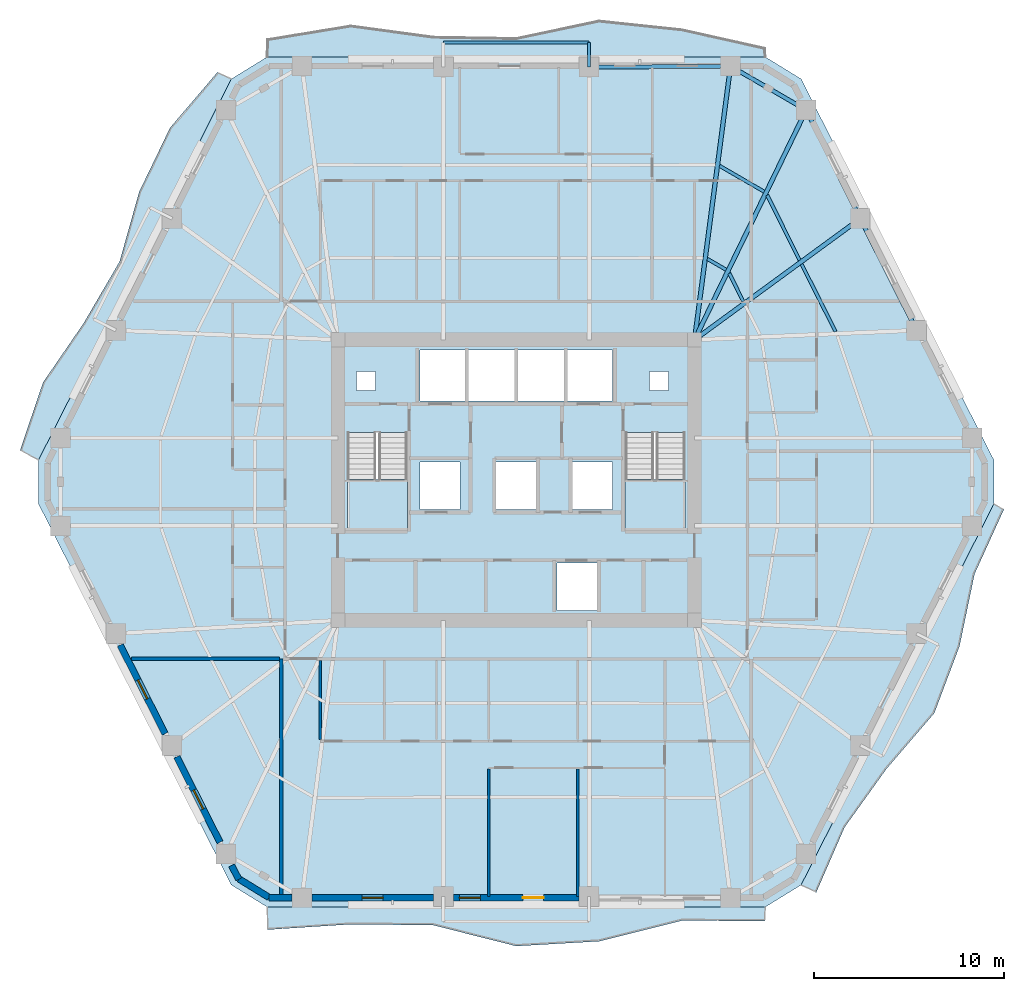
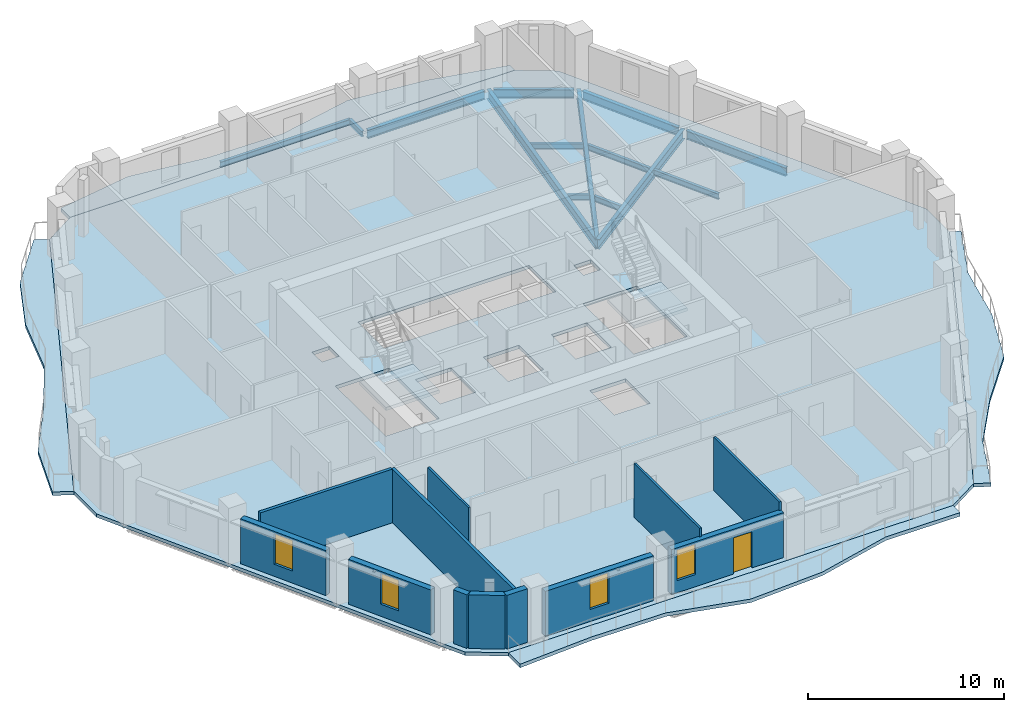
# One storey, part 3 of 12: 14 beams, 12 walls, 7 slabs, 4 windows, 1 door, 5 openings, 2 elements without a shape of their own.
"""IFC4 building model written with IfcOpenShell, lengths in metres."""

from ifc_helpers import new_model, si_unit, direction, frame, frame_2d, origin, origin_2d, place, context, subcontext, project, spatial, polyline, rectangle, i_section, outline, extrude, material, layer, layer_set, material_profile, profile_set, type_object, element, fill, aggregate, save


model = new_model("IFC4")

# Units and contexts
model_context = context("Model", 3, precision=1e-05, world=origin(), true_north=direction((0.0, 1.0)))
body_context = subcontext(model_context, "Body", "Model", "MODEL_VIEW")
ifc_project = project(units=[si_unit("LENGTHUNIT", "METRE"), si_unit("AREAUNIT", "SQUARE_METRE"), si_unit("VOLUMEUNIT", "CUBIC_METRE"), si_unit("PLANEANGLEUNIT", "RADIAN"), si_unit("MASSUNIT", "GRAM", prefix="KILO")], contexts=[model_context])

# Site, building, storey
site_placement = place(None, origin())
site = spatial("IfcSite", under=ifc_project, at=site_placement, CompositionType="ELEMENT")
building_placement = place(site_placement, origin())
building = spatial("IfcBuilding", under=site, at=building_placement, Name="Cinnabar Lancet Tower", CompositionType="ELEMENT")
storey_placement = place(building_placement, frame((0.0, 0.0, 141.0)))
storey = spatial("IfcBuildingStorey", under=building, at=storey_placement, Name="L37", CompositionType="ELEMENT", Elevation=141.0)

# Beams
ifc_material_1 = material(Name="Structural steel S355", Category="steel")
ifc_material_profile_1 = material_profile(ifc_material_1, i_section(OverallWidth=0.17138671875, OverallDepth=0.35498046875, WebThickness=0.00732421875, FlangeThickness=0.011474609375, FilletRadius=0.01025390625, at=origin_2d()), Name="UKB 356x171x51")
ifc_profile_set_1 = profile_set([ifc_material_profile_1], Name="Structural steel S355")
beam_type_1 = type_object("IfcBeamType", Name="STR-BM-JST-356", PredefinedType="JOIST", material=ifc_profile_set_1)
beam_1_placement = place(storey_placement, frame((49.19189453125, 33.70703125, -0.387939453125), z_axis=(-0.450606998706, 0.892722427587, 0.0), x_axis=(-0.892722427587, -0.450606998706, 0.0)))
element("IfcBeam", 1, at=beam_1_placement, inside=storey, type_object=beam_type_1, Name="L37 Secondary Floor Joist 27", PredefinedType="JOIST", context=body_context, shape_type="SweptSolid", body=[
    extrude(i_section(OverallWidth=0.17138671875, OverallDepth=0.35498046875, WebThickness=0.00732421875, FlangeThickness=0.011474609375, FilletRadius=0.01025390625, at=origin_2d()), origin(), (0.0, 0.0, 1.0), 3.967529296875),
])
beam_2_placement = place(storey_placement, frame((47.300048828125, 37.455078125, -0.387939453125), z_axis=(-0.445116798807, 0.895472520751, 0.0), x_axis=(-0.895472520751, -0.445116798807, 0.0)))
element("IfcBeam", 2, at=beam_2_placement, inside=storey, type_object=beam_type_1, Name="L37 Secondary Floor Joist 29", PredefinedType="JOIST", context=body_context, shape_type="SweptSolid", body=[
    extrude(i_section(OverallWidth=0.17138671875, OverallDepth=0.35498046875, WebThickness=0.00732421875, FlangeThickness=0.011474609375, FilletRadius=0.01025390625, at=origin_2d()), origin(), (0.0, 0.0, 1.0), 3.8212890625),
])
beam_3_placement = place(storey_placement, frame((44.337890625, 35.2900390625, -0.387939453125), z_axis=(-0.445677136949, 0.895193772097, 0.0), x_axis=(-0.895193772097, -0.445677136949, 0.0)))
element("IfcBeam", 3, at=beam_3_placement, inside=storey, type_object=beam_type_1, Name="L37 Secondary Floor Joist 30", PredefinedType="JOIST", context=body_context, shape_type="SweptSolid", body=[
    extrude(i_section(OverallWidth=0.17138671875, OverallDepth=0.35498046875, WebThickness=0.00732421875, FlangeThickness=0.011474609375, FilletRadius=0.01025390625, at=origin_2d()), origin(), (0.0, 0.0, 1.0), 1.6533203125),
])
beam_4_placement = place(storey_placement, frame((45.43505859375, 41.06298828125, -0.387939453125), z_axis=(-0.865172906898, 0.501473669469, 0.0), x_axis=(-0.501473669469, -0.865172906898, 0.0)))
element("IfcBeam", 4, at=beam_4_placement, inside=storey, type_object=beam_type_1, Name="L37 Secondary Floor Joist 31", PredefinedType="JOIST", context=body_context, shape_type="SweptSolid", body=[
    extrude(i_section(OverallWidth=0.17138671875, OverallDepth=0.35498046875, WebThickness=0.00732421875, FlangeThickness=0.011474609375, FilletRadius=0.01025390625, at=origin_2d()), origin(), (0.0, 0.0, 1.0), 2.705810546875),
])
beam_5_placement = place(storey_placement, frame((43.43798828125, 36.9560546875, -0.387939453125), z_axis=(-0.865055308165, 0.501676503154, 0.0), x_axis=(-0.501676503154, -0.865055308165, 0.0)))
element("IfcBeam", 5, at=beam_5_placement, inside=storey, type_object=beam_type_1, Name="L37 Secondary Floor Joist 32", PredefinedType="JOIST", context=body_context, shape_type="SweptSolid", body=[
    extrude(i_section(OverallWidth=0.17138671875, OverallDepth=0.35498046875, WebThickness=0.00732421875, FlangeThickness=0.011474609375, FilletRadius=0.01025390625, at=origin_2d()), origin(), (0.0, 0.0, 1.0), 1.14208984375),
])
ifc_material_2 = material(Name="Structural steel S355", Category="steel")
ifc_material_profile_2 = material_profile(ifc_material_2, i_section(OverallWidth=0.209228515625, OverallDepth=0.533203125, WebThickness=0.010009765625, FlangeThickness=0.015625, FilletRadius=0.0126953125, at=origin_2d()), Name="UKB 533x210x92")
ifc_profile_set_2 = profile_set([ifc_material_profile_2], Name="Structural steel S355")
beam_type_2 = type_object("IfcBeamType", Name="STR-BM-SPN-533", PredefinedType="SPANDREL", material=ifc_profile_set_2)
beam_6_placement = place(storey_placement, frame((53.339111328125, 33.9990234375, -0.47705078125), z_axis=(-0.450570325924, 0.892740937449, 0.0), x_axis=(-0.892740937449, -0.450570325924, 0.0)))
element("IfcBeam", 6, at=beam_6_placement, inside=storey, type_object=beam_type_2, Name="L37 Perimeter Spandrel 10", PredefinedType="SPANDREL", context=body_context, shape_type="SweptSolid", body=[
    extrude(i_section(OverallWidth=0.209228515625, OverallDepth=0.533203125, WebThickness=0.010009765625, FlangeThickness=0.015625, FilletRadius=0.0126953125, at=origin_2d()), origin(), (0.0, 0.0, 1.0), 6.07470703125),
])
beam_7_placement = place(storey_placement, frame((50.3779296875, 39.868896484375, -0.47705078125), z_axis=(-0.445501068635, 0.89528140707, 0.0), x_axis=(-0.89528140707, -0.445501068635, 0.0)))
element("IfcBeam", 7, at=beam_7_placement, inside=storey, type_object=beam_type_2, Name="L37 Perimeter Spandrel 11", PredefinedType="SPANDREL", context=body_context, shape_type="SweptSolid", body=[
    extrude(i_section(OverallWidth=0.209228515625, OverallDepth=0.533203125, WebThickness=0.010009765625, FlangeThickness=0.015625, FilletRadius=0.0126953125, at=origin_2d()), origin(), (0.0, 0.0, 1.0), 5.87646484375),
])
beam_8_placement = place(storey_placement, frame((47.43310546875, 45.47900390625, -0.47705078125), z_axis=(-0.865138129765, 0.5015336643, 0.0), x_axis=(-0.5015336643, -0.865138129765, 0.0)))
element("IfcBeam", 8, at=beam_8_placement, inside=storey, type_object=beam_type_2, Name="L37 Perimeter Spandrel 12", PredefinedType="SPANDREL", context=body_context, shape_type="SweptSolid", body=[
    extrude(i_section(OverallWidth=0.209228515625, OverallDepth=0.533203125, WebThickness=0.010009765625, FlangeThickness=0.015625, FilletRadius=0.0126953125, at=origin_2d()), origin(), (0.0, 0.0, 1.0), 4.10107421875),
])
beam_9_placement = place(storey_placement, frame((43.4189453125, 47.658935546875, -0.47705078125), z_axis=(-0.999975228682, -0.007038609338, 0.0), x_axis=(0.007038609338, -0.999975228682, 0.0)))
element("IfcBeam", 9, at=beam_9_placement, inside=storey, type_object=beam_type_2, Name="L37 Perimeter Spandrel 13", PredefinedType="SPANDREL", context=body_context, shape_type="SweptSolid", body=[
    extrude(i_section(OverallWidth=0.209228515625, OverallDepth=0.533203125, WebThickness=0.010009765625, FlangeThickness=0.015625, FilletRadius=0.0126953125, at=origin_2d()), origin(), (0.0, 0.0, 1.0), 6.937255859375),
])
ifc_material_3 = material(Name="Structural steel S355", Category="steel")
ifc_material_profile_3 = material_profile(ifc_material_3, i_section(OverallWidth=0.228271484375, OverallDepth=0.607666015625, WebThickness=0.010986328125, FlangeThickness=0.017333984375, FilletRadius=0.0126953125, at=origin_2d()), Name="UKB 610x229x113")
ifc_profile_set_3 = profile_set([ifc_material_profile_3], Name="Structural steel S355")
beam_type_3 = type_object("IfcBeamType", Name="STR-BM-UKB610-113", PredefinedType="BEAM", material=ifc_profile_set_3)
beam_10_placement = place(storey_placement, frame((50.489013671875, 39.64501953125, -0.513916015625), z_axis=(-0.807297870919, -0.590144175273, 0.0), x_axis=(0.590144175273, -0.807297870919, 0.0)))
element("IfcBeam", 10, at=beam_10_placement, inside=storey, type_object=beam_type_3, Name="L37 Corner Collector Girder 3", PredefinedType="BEAM", context=body_context, shape_type="SweptSolid", body=[
    extrude(i_section(OverallWidth=0.228271484375, OverallDepth=0.607666015625, WebThickness=0.010986328125, FlangeThickness=0.017333984375, FilletRadius=0.0126953125, at=origin_2d()), origin(), (0.0, 0.0, 1.0), 10.794189453125),
])
beam_11_placement = place(storey_placement, frame((47.64892578125, 45.35400390625, -0.513916015625), z_axis=(-0.437327473227, -0.899302330232, 0.0), x_axis=(0.899302330232, -0.437327473227, 0.0)))
element("IfcBeam", 11, at=beam_11_placement, inside=storey, type_object=beam_type_3, Name="L37 Primary Floor Girder 12", PredefinedType="BEAM", context=body_context, shape_type="SweptSolid", body=[
    extrude(i_section(OverallWidth=0.228271484375, OverallDepth=0.607666015625, WebThickness=0.010986328125, FlangeThickness=0.017333984375, FilletRadius=0.0126953125, at=origin_2d()), origin(), (0.0, 0.0, 1.0), 13.431640625),
])
beam_12_placement = place(storey_placement, frame((43.6689453125, 47.660888671875, -0.513916015625), z_axis=(-0.130532420418, -0.991444041396, 0.0), x_axis=(0.991444041396, -0.130532420418, 0.0)))
element("IfcBeam", 12, at=beam_12_placement, inside=storey, type_object=beam_type_3, Name="L37 Primary Floor Girder 13", PredefinedType="BEAM", context=body_context, shape_type="SweptSolid", body=[
    extrude(i_section(OverallWidth=0.228271484375, OverallDepth=0.607666015625, WebThickness=0.010986328125, FlangeThickness=0.017333984375, FilletRadius=0.0126953125, at=origin_2d()), origin(), (0.0, 0.0, 1.0), 14.51025390625),
])
ifc_material_4 = material(Name="Structural steel S355", Category="steel")
ifc_material_profile_4 = material_profile(ifc_material_4, i_section(OverallWidth=0.17138671875, OverallDepth=0.35498046875, WebThickness=0.00732421875, FlangeThickness=0.011474609375, FilletRadius=0.01025390625, at=origin_2d()), Name="UKB 356x171x51")
ifc_profile_set_4 = profile_set([ifc_material_profile_4], Name="Structural steel S355")
beam_type_4 = type_object("IfcBeamType", Name="STR-BM-WAV-OUT", PredefinedType="BEAM", material=ifc_profile_set_4)
beam_13_placement = place(storey_placement, frame((36.23193359375, 47.60791015625, -0.39794921875), z_axis=(0.0, 1.0, 0.0), x_axis=(-1.0, 0.0, 0.0)))
element("IfcBeam", 13, at=beam_13_placement, inside=storey, type_object=beam_type_4, Name="L37 Face 4 Balcony Outlooker A", PredefinedType="BEAM", context=body_context, shape_type="SweptSolid", body=[
    extrude(i_section(OverallWidth=0.17138671875, OverallDepth=0.35498046875, WebThickness=0.00732421875, FlangeThickness=0.011474609375, FilletRadius=0.01025390625, at=origin_2d()), origin(), (0.0, 0.0, 1.0), 1.300048828125),
])
ifc_material_5 = material(Name="Structural steel S355", Category="steel")
ifc_material_profile_5 = material_profile(ifc_material_5, i_section(OverallWidth=0.17138671875, OverallDepth=0.35498046875, WebThickness=0.00732421875, FlangeThickness=0.011474609375, FilletRadius=0.01025390625, at=origin_2d()), Name="UKB 356x171x51")
ifc_profile_set_5 = profile_set([ifc_material_profile_5], Name="Structural steel S355")
beam_type_5 = type_object("IfcBeamType", Name="STR-BM-WAV-TRIM", PredefinedType="SPANDREL", material=ifc_profile_set_5)
beam_14_placement = place(storey_placement, frame((36.23193359375, 48.907958984375, -0.39794921875), z_axis=(-1.0, 0.0, 0.0), x_axis=(0.0, -1.0, 0.0)))
element("IfcBeam", 14, at=beam_14_placement, inside=storey, type_object=beam_type_5, Name="L37 Face 4 Balcony Edge Trimmer", PredefinedType="SPANDREL", context=body_context, shape_type="SweptSolid", body=[
    extrude(i_section(OverallWidth=0.17138671875, OverallDepth=0.35498046875, WebThickness=0.00732421875, FlangeThickness=0.011474609375, FilletRadius=0.01025390625, at=origin_2d()), origin(), (0.0, 0.0, 1.0), 7.663818359375),
])

# Stair, slab
ifc_material_6 = material(Name="Concrete C40/50", Category="concrete")
stair_type = type_object("IfcStairType", Name="ST-CORE", PredefinedType="HALF_TURN_STAIR", material=ifc_material_6)
stair_1_placement = place(storey_placement, origin())
stair_1 = element("IfcStair", 15, at=stair_1_placement, inside=storey, type_object=stair_type, Name="L37 ST-1", PredefinedType="HALF_TURN_STAIR")
ifc_material_7 = material(Name="Concrete C40/50", Category="concrete")
ifc_layer_1 = layer(ifc_material_7, 0.199951171875)
ifc_layer_set_1 = layer_set([ifc_layer_1], Name="Concrete C40/50")
slab_type_1 = type_object("IfcSlabType", Name="LANDING-CORE", PredefinedType="LANDING", material=ifc_layer_set_1)
slab_1_placement = place(storey_placement, frame((0.0, 0.0, 1.574951171875)))
slab_1 = element("IfcSlab", 16, at=slab_1_placement, type_object=slab_type_1, Name="ST-1 landing 1", PredefinedType="LANDING", context=body_context, shape_type="SweptSolid", body=[
    extrude(outline(polyline([(23.52490234375, 25.925048828125), (23.52490234375, 23.25), (26.675048828125, 23.25), (26.675048828125, 25.925048828125), (23.52490234375, 25.925048828125)])), origin(), (0.0, 0.0, 1.0), 0.199951171875),
])
aggregate(stair_1, [slab_1])

stair_2_placement = place(storey_placement, origin())
stair_2 = element("IfcStair", 17, at=stair_2_placement, inside=storey, type_object=stair_type, Name="L37 ST-2", PredefinedType="HALF_TURN_STAIR")
slab_2_placement = place(storey_placement, frame((0.0, 0.0, 1.574951171875)))
slab_2 = element("IfcSlab", 18, at=slab_2_placement, type_object=slab_type_1, Name="ST-2 landing 1", PredefinedType="LANDING", context=body_context, shape_type="SweptSolid", body=[
    extrude(outline(polyline([(38.125, 25.925048828125), (38.125, 23.25), (41.27490234375, 23.25), (41.27490234375, 25.925048828125), (38.125, 25.925048828125)])), origin(), (0.0, 0.0, 1.0), 0.199951171875),
])
aggregate(stair_2, [slab_2])

# Slabs
ifc_material_8 = material(Name="Concrete C40/50", Category="concrete")
ifc_layer_2 = layer(ifc_material_8, 0.2099609375)
ifc_layer_set_2 = layer_set([ifc_layer_2], Name="Concrete C40/50")
slab_type_2 = type_object("IfcSlabType", Name="STR-SLB-FLR-210", PredefinedType="FLOOR", material=ifc_layer_set_2)
slab_3_placement = place(storey_placement, frame((0.0, 0.0, -0.2099609375)))
element("IfcSlab", 19, at=slab_3_placement, inside=storey, type_object=slab_type_2, Name="L37 Structural Floor Slab", PredefinedType="FLOOR", context=body_context, shape_type="SweptSolid", body=[
    extrude(outline(polyline([(17.4208984375, 4.610107421875), (19.30810546875, 3.449951171875), (45.491943359375, 3.449951171875), (47.37890625, 4.610107421875), (57.512939453125, 24.639892578125), (57.512939453125, 26.9599609375), (47.37890625, 46.989990234375), (45.491943359375, 48.14990234375), (19.30810546875, 48.14990234375), (17.4208984375, 46.989990234375), (7.287109375, 26.9599609375), (7.287109375, 24.639892578125), (17.4208984375, 4.610107421875)]), holes=[polyline([(23.52490234375, 23.25), (26.675048828125, 23.25), (26.675048828125, 28.3994140625), (23.52490234375, 28.3994140625), (23.52490234375, 23.25)]), polyline([(38.125, 23.25), (41.27490234375, 23.25), (41.27490234375, 28.3994140625), (38.125, 28.3994140625), (38.125, 23.25)]), polyline([(27.35009765625, 30.050048828125), (37.449951171875, 30.050048828125), (37.449951171875, 32.75), (27.35009765625, 32.75), (27.35009765625, 30.050048828125)]), polyline([(34.550048828125, 19.050048828125), (36.64990234375, 19.050048828125), (36.64990234375, 21.550048828125), (34.550048828125, 21.550048828125), (34.550048828125, 19.050048828125)]), polyline([(27.35009765625, 24.35009765625), (29.449951171875, 24.35009765625), (29.449951171875, 26.85009765625), (27.35009765625, 26.85009765625), (27.35009765625, 24.35009765625)]), polyline([(35.35009765625, 24.35009765625), (37.449951171875, 24.35009765625), (37.449951171875, 26.85009765625), (35.35009765625, 26.85009765625), (35.35009765625, 24.35009765625)]), polyline([(31.35009765625, 24.35009765625), (33.449951171875, 24.35009765625), (33.449951171875, 26.85009765625), (31.35009765625, 26.85009765625), (31.35009765625, 24.35009765625)]), polyline([(24.0, 30.60009765625), (25.0, 30.60009765625), (25.0, 31.60009765625), (24.0, 31.60009765625), (24.0, 30.60009765625)]), polyline([(39.39990234375, 30.60009765625), (40.39990234375, 30.60009765625), (40.39990234375, 31.60009765625), (39.39990234375, 31.60009765625), (39.39990234375, 30.60009765625)])]), origin(), (0.0, 0.0, 1.0), 0.2099609375),
])
ifc_material_9 = material(Name="Concrete C45/55", Category="concrete")
ifc_layer_3 = layer(ifc_material_9, 0.219970703125)
ifc_layer_set_3 = layer_set([ifc_layer_3], Name="Concrete C45/55")
slab_type_3 = type_object("IfcSlabType", Name="STR-SLB-WAV-220", PredefinedType="FLOOR", material=ifc_layer_set_3)
slab_4_placement = place(storey_placement, frame((0.0, 0.0, -0.219970703125)))
element("IfcSlab", 20, at=slab_4_placement, inside=storey, type_object=slab_type_3, Name="L37 Face 1 Undulating Wave Balcony Slab", PredefinedType="FLOOR", context=body_context, shape_type="SweptSolid", body=[
    extrude(outline(polyline([(19.30810546875, 3.449951171875), (19.30810546875, 2.258056640625), (23.672119140625, 2.5419921875), (28.035888671875, 2.4970703125), (32.39990234375, 1.39501953125), (36.763916015625, 1.64892578125), (41.1279296875, 2.740966796875), (45.491943359375, 2.714111328125), (45.491943359375, 3.449951171875), (19.30810546875, 3.449951171875)])), origin(), (0.0, 0.0, 1.0), 0.219970703125),
])
slab_5_placement = place(storey_placement, frame((0.0, 0.0, -0.219970703125)))
element("IfcSlab", 21, at=slab_5_placement, inside=storey, type_object=slab_type_3, Name="L37 Face 2 Undulating Wave Balcony Slab", PredefinedType="FLOOR", context=body_context, shape_type="SweptSolid", body=[
    extrude(outline(polyline([(47.37890625, 4.610107421875), (48.1689453125, 4.2099609375), (49.666015625, 7.64599609375), (51.8720703125, 10.721923828125), (54.383056640625, 13.64501953125), (55.7080078125, 17.16796875), (56.498046875, 20.9599609375), (58.047119140625, 24.3701171875), (57.512939453125, 24.639892578125), (47.37890625, 4.610107421875)])), origin(), (0.0, 0.0, 1.0), 0.219970703125),
])
slab_6_placement = place(storey_placement, frame((0.0, 0.0, -0.219970703125)))
element("IfcSlab", 22, at=slab_6_placement, inside=storey, type_object=slab_type_3, Name="L37 Face 4 Undulating Wave Balcony Slab", PredefinedType="FLOOR", context=body_context, shape_type="SweptSolid", body=[
    extrude(outline(polyline([(45.491943359375, 48.14990234375), (45.491943359375, 48.64990234375), (41.1279296875, 49.626953125), (36.763916015625, 50.089111328125), (32.39990234375, 49.172119140625), (28.035888671875, 49.240966796875), (23.672119140625, 49.825927734375), (19.30810546875, 49.10595703125), (19.30810546875, 48.14990234375), (45.491943359375, 48.14990234375)])), origin(), (0.0, 0.0, 1.0), 0.219970703125),
])
slab_7_placement = place(storey_placement, frame((0.0, 0.0, -0.219970703125)))
element("IfcSlab", 23, at=slab_7_placement, inside=storey, type_object=slab_type_3, Name="L37 Face 5 Undulating Wave Balcony Slab", PredefinedType="FLOOR", context=body_context, shape_type="SweptSolid", body=[
    extrude(outline(polyline([(17.4208984375, 46.989990234375), (16.700927734375, 47.35400390625), (14.201904296875, 44.426025390625), (12.577880859375, 41.054931640625), (11.544921875, 37.384033203125), (9.656982421875, 34.14697265625), (7.52197265625, 31.033935546875), (6.31005859375, 27.4541015625), (7.287109375, 26.9599609375), (17.4208984375, 46.989990234375)])), origin(), (0.0, 0.0, 1.0), 0.219970703125),
])

# Walls
ifc_material_10 = material(Name="Fire-rated twin-frame acoustic drywall", Category="gypsum")
ifc_layer_4 = layer(ifc_material_10, 0.179931640625)
ifc_layer_set_4 = layer_set([ifc_layer_4], Name="Fire-rated twin-frame acoustic drywall")
wall_type_1 = type_object("IfcWallType", Name="ARC-WL-PARTY-180", PredefinedType="PARTITIONING", material=ifc_layer_set_4)
wall_1_placement = place(storey_placement, frame((20.050048828125, 4.10498046875, 0.0), z_axis=(0.0, 0.0, 1.0), x_axis=(0.0, 1.0, 0.0)))
element("IfcWall", 24, at=wall_1_placement, inside=storey, type_object=wall_type_1, Name="PW-L37-SPTY-200", PredefinedType="PARTITIONING", context=body_context, shape_type="SweptSolid", body=[
    extrude(rectangle(XDim=12.39501953125, YDim=0.179931640625, at=frame_2d((6.197509765625, 0.0))), origin(), (0.0, 0.0, 1.0), 3.340087890625),
])
wall_2_placement = place(storey_placement, frame((12.18505859375, 16.5, 0.0), z_axis=(0.0, 0.0, 1.0), x_axis=(1.0, 0.0, 0.0)))
element("IfcWall", 25, at=wall_2_placement, inside=storey, type_object=wall_type_1, Name="PW-L37-WSB", PredefinedType="PARTITIONING", context=body_context, shape_type="SweptSolid", body=[
    extrude(rectangle(XDim=7.77001953125, YDim=0.179931640625, at=frame_2d((3.885009765625, 0.0))), origin(), (0.0, 0.0, 1.0), 3.340087890625),
])
ifc_material_11 = material(Name="Gypsum plasterboard stud partition", Category="gypsum")
ifc_layer_5 = layer(ifc_material_11, 0.125)
ifc_layer_set_5 = layer_set([ifc_layer_5], Name="Gypsum plasterboard stud partition")
wall_type_2 = type_object("IfcWallType", Name="ARC-WL-UNIT-125", PredefinedType="PARTITIONING", material=ifc_layer_set_5)
wall_3_placement = place(storey_placement, frame((22.10009765625, 12.26708984375, 0.0), z_axis=(0.0, 0.0, 1.0), x_axis=(0.0, 1.0, 0.0)))
element("IfcWall", 26, at=wall_3_placement, inside=storey, type_object=wall_type_2, Name="UW-L37-S01-FOYE", PredefinedType="PARTITIONING", context=body_context, shape_type="SweptSolid", body=[
    extrude(rectangle(XDim=4.14794921875, YDim=0.125, at=frame_2d((2.073974609375, 0.0))), origin(), (0.0, 0.0, 1.0), 2.721923828125),
])
for number, where, z_axis, x_axis, name in (
    (27, (30.949951171875, 4.014892578125, 0.0), (0.0, 0.0, 1.0), (0.0, 1.0, 0.0), "UW-L37-S01-BD2W"),
    (28, (35.64208984375, 4.014892578125, 0.0), (0.0, 0.0, 1.0), (0.0, 1.0, 0.0), "UW-L37-S01-MB2W"),
):
    element("IfcWall", number, at=place(storey_placement, frame(where, z_axis=z_axis, x_axis=x_axis)), inside=storey, type_object=wall_type_2, Name=name, PredefinedType="PARTITIONING", context=body_context, shape_type="SweptSolid", body=[
        extrude(rectangle(XDim=6.68212890625, YDim=0.125, at=frame_2d((3.341064453125, 0.0))), origin(), (0.0, 0.0, 1.0), 3.340087890625),
    ])
ifc_material_12 = material(Name="Cinnabar red clay brick", Category="masonry")
ifc_layer_6 = layer(ifc_material_12, 0.340087890625)
ifc_layer_set_6 = layer_set([ifc_layer_6], Name="Cinnabar red clay brick")
wall_type_3 = type_object("IfcWallType", Name="ENV-WL-BRK-RED-340", PredefinedType="STANDARD", material=ifc_layer_set_6)
wall_4_placement = place(storey_placement, frame((17.8291015625, 4.923095703125, 0.0), z_axis=(0.0, 0.0, 1.0), x_axis=(0.851798915137, -0.523868884523, 0.0)))
element("IfcWall", 29, at=wall_4_placement, inside=storey, type_object=wall_type_3, Name="L37 Chamfered Corner Brick Pier 1.1", PredefinedType="STANDARD", context=body_context, shape_type="SweptSolid", body=[
    extrude(rectangle(XDim=1.847900390625, YDim=0.340087890625, at=frame_2d((0.923828125, 0.0))), origin(), (0.0, 0.0, 1.0), 3.340087890625),
])
wall_5_placement = place(storey_placement, frame((19.39794921875, 3.929931640625, 0.0), z_axis=(0.0, 0.0, 1.0), x_axis=(1.0, 0.0, 0.0)))
element("IfcWall", 30, at=wall_5_placement, inside=storey, type_object=wall_type_3, Name="L37 Face 1 Masonry Bay Wall 1", PredefinedType="STANDARD", context=body_context, shape_type="SweptSolid", body=[
    extrude(rectangle(XDim=1.2041015625, YDim=0.340087890625, at=frame_2d((0.60205078125, 0.0))), origin(), (0.0, 0.0, 1.0), 3.340087890625),
])

# Wall, opening, window
wall_6_placement = place(storey_placement, frame((21.659912109375, 3.929931640625, 0.0), z_axis=(0.0, 0.0, 1.0), x_axis=(1.0, 0.0, 0.0)))
wall_6 = element("IfcWall", 31, at=wall_6_placement, inside=storey, type_object=wall_type_3, Name="L37 Face 1 Masonry Bay Wall 2", PredefinedType="STANDARD", context=body_context, shape_type="SweptSolid", body=[
    extrude(rectangle(XDim=6.379150390625, YDim=0.340087890625, at=frame_2d((3.189453125, 0.0))), origin(), (0.0, 0.0, 1.0), 2.797119140625),
])
opening_1_placement = place(wall_6_placement, frame((2.639892578125, 0.0, 0.75)))
opening_1 = element("IfcOpeningElement", 32, at=opening_1_placement, cuts=wall_6, Name="Opening WN-04", PredefinedType="OPENING", context=body_context, shape_type="SweptSolid", body=[
    extrude(rectangle(XDim=1.10009765625, YDim=1.89697265625, at=frame_2d((0.550048828125, 0.948486328125))), frame((0.0, 0.179931640625, 0.0), z_axis=(0.0, -1.0, 0.0), x_axis=(1.0, 0.0, 0.0)), (0.0, 0.0, 1.0), 0.360107421875),
])
ifc_material_13 = material(Name="Thermally broken bronze-anodized aluminium tall lancet window", Category="aluminium")
window_type = type_object("IfcWindowType", Name="ENV-WN-LANCET-1100", PartitioningType="SINGLE_PANEL", PredefinedType="WINDOW", material=ifc_material_13)
window_1_placement = place(opening_1_placement, origin())
window_1 = element("IfcWindow", 33, at=window_1_placement, inside=storey, type_object=window_type, Name="L37 Face 1 Gothic Lancet Window 2", OverallHeight=1.89697265625, OverallWidth=1.10009765625, PartitioningType="SINGLE_PANEL", PredefinedType="WINDOW", context=body_context, shape_type="SweptSolid", body=[
    extrude(rectangle(XDim=1.10009765625, YDim=1.89697265625, at=frame_2d((0.550048828125, 0.948486328125))), frame((0.0, 0.030029296875, 0.0), z_axis=(0.0, -1.0, 0.0), x_axis=(1.0, 0.0, 0.0)), (0.0, 0.0, 1.0), 0.06005859375),
])
fill(opening_1, window_1)

# Wall, openings, door, window
wall_7_placement = place(storey_placement, frame((29.096923828125, 3.929931640625, 0.0), z_axis=(0.0, 0.0, 1.0), x_axis=(1.0, 0.0, 0.0)))
wall_7 = element("IfcWall", 34, at=wall_7_placement, inside=storey, type_object=wall_type_3, Name="L37 Face 1 Masonry Bay Wall 3", PredefinedType="STANDARD", context=body_context, shape_type="SweptSolid", body=[
    extrude(rectangle(XDim=6.60595703125, YDim=0.340087890625, at=frame_2d((3.302978515625, 0.0))), origin(), (0.0, 0.0, 1.0), 2.797119140625),
])
opening_2_placement = place(wall_7_placement, frame((3.64892578125, 0.0, 0.0)))
opening_2 = element("IfcOpeningElement", 35, at=opening_2_placement, cuts=wall_7, Name="Opening TD-01", PredefinedType="OPENING", context=body_context, shape_type="SweptSolid", body=[
    extrude(rectangle(XDim=1.10009765625, YDim=2.25, at=frame_2d((0.550048828125, 1.125))), frame((0.0, 0.179931640625, 0.0), z_axis=(0.0, -1.0, 0.0), x_axis=(1.0, 0.0, 0.0)), (0.0, 0.0, 1.0), 0.360107421875),
])
opening_3_placement = place(wall_7_placement, frame((0.320068359375, 0.0, 0.75)))
opening_3 = element("IfcOpeningElement", 36, at=opening_3_placement, cuts=wall_7, Name="Opening WN-04", PredefinedType="OPENING", context=body_context, shape_type="SweptSolid", body=[
    extrude(rectangle(XDim=1.10009765625, YDim=1.89697265625, at=frame_2d((0.550048828125, 0.948486328125))), frame((0.0, 0.179931640625, 0.0), z_axis=(0.0, -1.0, 0.0), x_axis=(1.0, 0.0, 0.0)), (0.0, 0.0, 1.0), 0.360107421875),
])
ifc_material_14 = material(Name="Thermally broken low-E glazed balcony terrace door", Category="wood")
door_type = type_object("IfcDoorType", Name="ARC-DR-BALC", OperationType="NOTDEFINED", PredefinedType="DOOR", material=ifc_material_14)
door_placement = place(opening_2_placement, origin())
door = element("IfcDoor", 37, at=door_placement, inside=storey, type_object=door_type, Name="L37 Face 1 Glazed Terrace Door", OperationType="SINGLE_SWING_LEFT", OverallHeight=2.25, OverallWidth=1.10009765625, PredefinedType="DOOR", context=body_context, shape_type="SweptSolid", body=[
    extrude(rectangle(XDim=1.10009765625, YDim=2.25, at=frame_2d((0.550048828125, 1.125))), frame((0.0, 0.02490234375, 0.0), z_axis=(0.0, -1.0, 0.0), x_axis=(1.0, 0.0, 0.0)), (0.0, 0.0, 1.0), 0.050048828125),
])
fill(opening_2, door)
window_2_placement = place(opening_3_placement, origin())
window_2 = element("IfcWindow", 38, at=window_2_placement, inside=storey, type_object=window_type, Name="L37 Split-Bay Gothic Lancet Window 106", OverallHeight=1.89697265625, OverallWidth=1.10009765625, PartitioningType="SINGLE_PANEL", PredefinedType="WINDOW", context=body_context, shape_type="SweptSolid", body=[
    extrude(rectangle(XDim=1.10009765625, YDim=1.89697265625, at=frame_2d((0.550048828125, 0.948486328125))), frame((0.0, 0.030029296875, 0.0), z_axis=(0.0, -1.0, 0.0), x_axis=(1.0, 0.0, 0.0)), (0.0, 0.0, 1.0), 0.06005859375),
])
fill(opening_3, window_2)

# Wall, opening, window
wall_8_placement = place(storey_placement, frame((11.580078125, 17.218017578125, 0.0), z_axis=(0.0, 0.0, 1.0), x_axis=(0.451567731634, -0.892236842855, 0.0)))
wall_8 = element("IfcWall", 39, at=wall_8_placement, inside=storey, type_object=wall_type_3, Name="L37 Face 6 Masonry Bay Wall 3", PredefinedType="STANDARD", context=body_context, shape_type="SweptSolid", body=[
    extrude(rectangle(XDim=5.219482421875, YDim=0.340087890625, at=frame_2d((2.60986328125, 0.0))), origin(), (0.0, 0.0, 1.0), 2.797119140625),
])
opening_4_placement = place(wall_8_placement, frame((2.06005859375, 0.0, 0.75)))
opening_4 = element("IfcOpeningElement", 40, at=opening_4_placement, cuts=wall_8, Name="Opening WN-04", PredefinedType="OPENING", context=body_context, shape_type="SweptSolid", body=[
    extrude(rectangle(XDim=1.10009765625, YDim=1.89697265625, at=frame_2d((0.550048828125, 0.948486328125))), frame((0.0, 0.179931640625, 0.0), z_axis=(0.0, -1.0, 0.0), x_axis=(1.0, 0.0, 0.0)), (0.0, 0.0, 1.0), 0.360107421875),
])
window_3_placement = place(opening_4_placement, origin())
window_3 = element("IfcWindow", 41, at=window_3_placement, inside=storey, type_object=window_type, Name="L37 Face 6 Gothic Lancet Window 3", OverallHeight=1.89697265625, OverallWidth=1.10009765625, PartitioningType="SINGLE_PANEL", PredefinedType="WINDOW", context=body_context, shape_type="SweptSolid", body=[
    extrude(rectangle(XDim=1.10009765625, YDim=1.89697265625, at=frame_2d((0.550048828125, 0.948486328125))), frame((0.0, 0.030029296875, 0.0), z_axis=(0.0, -1.0, 0.0), x_axis=(1.0, 0.0, 0.0)), (0.0, 0.0, 1.0), 0.06005859375),
])
fill(opening_4, window_3)

wall_9_placement = place(storey_placement, frame((14.549072265625, 11.34912109375, 0.0), z_axis=(0.0, 0.0, 1.0), x_axis=(0.451548465867, -0.892246593142, 0.0)))
wall_9 = element("IfcWall", 42, at=wall_9_placement, inside=storey, type_object=wall_type_3, Name="L37 Face 6 Masonry Bay Wall 4", PredefinedType="STANDARD", context=body_context, shape_type="SweptSolid", body=[
    extrude(rectangle(XDim=5.040283203125, YDim=0.340087890625, at=frame_2d((2.52001953125, 0.0))), origin(), (0.0, 0.0, 1.0), 2.797119140625),
])
opening_5_placement = place(wall_9_placement, frame((1.969970703125, 0.0, 0.75)))
opening_5 = element("IfcOpeningElement", 43, at=opening_5_placement, cuts=wall_9, Name="Opening WN-04", PredefinedType="OPENING", context=body_context, shape_type="SweptSolid", body=[
    extrude(rectangle(XDim=1.10009765625, YDim=1.89697265625, at=frame_2d((0.550048828125, 0.948486328125))), frame((0.0, 0.179931640625, 0.0), z_axis=(0.0, -1.0, 0.0), x_axis=(1.0, 0.0, 0.0)), (0.0, 0.0, 1.0), 0.360107421875),
])
window_4_placement = place(opening_5_placement, origin())
window_4 = element("IfcWindow", 44, at=window_4_placement, inside=storey, type_object=window_type, Name="L37 Face 6 Gothic Lancet Window 4", OverallHeight=1.89697265625, OverallWidth=1.10009765625, PartitioningType="SINGLE_PANEL", PredefinedType="WINDOW", context=body_context, shape_type="SweptSolid", body=[
    extrude(rectangle(XDim=1.10009765625, YDim=1.89697265625, at=frame_2d((0.550048828125, 0.948486328125))), frame((0.0, 0.030029296875, 0.0), z_axis=(0.0, -1.0, 0.0), x_axis=(1.0, 0.0, 0.0)), (0.0, 0.0, 1.0), 0.06005859375),
])
fill(opening_5, window_4)

# Wall
wall_10_placement = place(storey_placement, frame((17.43798828125, 5.639892578125, 0.0), z_axis=(0.0, 0.0, 1.0), x_axis=(0.45172514337, -0.892157158155, 0.0)))
element("IfcWall", 45, at=wall_10_placement, inside=storey, type_object=wall_type_3, Name="L37 Face 6 Masonry Bay Wall 5", PredefinedType="STANDARD", context=body_context, shape_type="SweptSolid", body=[
    extrude(rectangle(XDim=0.821533203125, YDim=0.340087890625, at=frame_2d((0.41064453125, 0.0))), origin(), (0.0, 0.0, 1.0), 3.340087890625),
])

save(model, "model.ifc")
